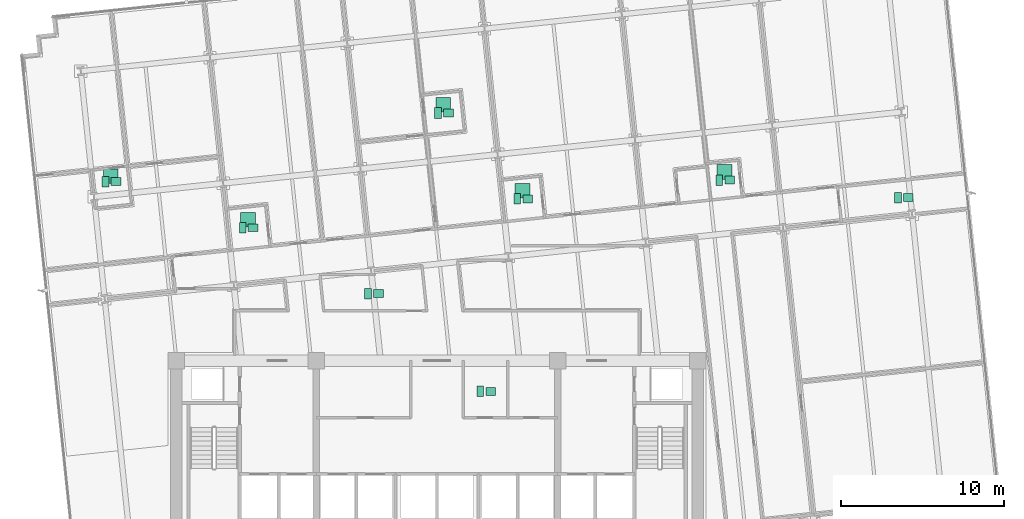
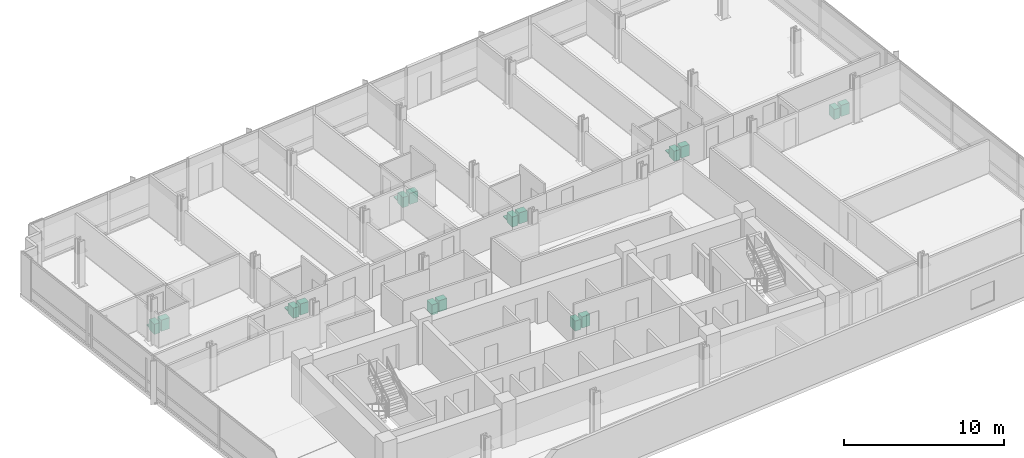
# One storey, part 20 of 20: 21 sanitary terminals.
"""IFC4 building model written with IfcOpenShell, lengths in metres."""

import ifcopenshell
import ifcopenshell.guid

model = None  # the IFC model being written
_history = None  # IfcOwnerHistory: only IFC2X3 demands one
_inside = {}  # id of a spatial element -> (the spatial element, [elements in it])
_under = {}  # id of a project, library or spatial element -> (it, [spatial elements below it])
_declared = {}  # id of a project -> (the project, [libraries it declares])
_typed = {}  # id of a type object -> (the type object, [elements of that type])
_made_of = {}  # id of a material, layer set ... -> (it, [elements and type objects made of it])


def new_model(schema):
    """Start an empty IFC model of exactly this schema.

    Asked for "IFC4X3", IfcOpenShell would pick the latest addendum, in which some entities
    have other attributes; the version numbers below select the first issue.
    IFC2X3 requires an IfcOwnerHistory on every rooted entity: one is made here for all.
    """
    global model, _history
    if schema == "IFC4X3":
        model = ifcopenshell.file(schema_version=(4, 3, 0, 0))
    else:
        model = ifcopenshell.file(schema=schema)
    _inside.clear()
    _under.clear()
    _declared.clear()
    _typed.clear()
    _made_of.clear()
    _history = None
    if model.schema == "IFC2X3":
        org = make("IfcOrganization", Name="unknown")
        user = make(
            "IfcPersonAndOrganization",
            ThePerson=make("IfcPerson", FamilyName="unknown"),
            TheOrganization=org,
        )
        app = make(
            "IfcApplication",
            ApplicationDeveloper=org,
            Version="unknown",
            ApplicationFullName="unknown",
            ApplicationIdentifier="unknown",
        )
        _history = make(
            "IfcOwnerHistory",
            OwningUser=user,
            OwningApplication=app,
            ChangeAction="ADDED",
            CreationDate=0,
        )
    return model


def make(cls, **values):
    """One entity of the class cls with the attributes given. An attribute that is None is left unset."""
    return model.create_entity(
        cls, **{name: value for name, value in values.items() if value is not None}
    )


def rooted(cls, **values):
    """An entity with a GlobalId (a new one), such as an element, a storey or a relation."""
    return make(cls, GlobalId=ifcopenshell.guid.new(), OwnerHistory=_history, **values)


def si_unit(unit_type, name, prefix=None):
    """IfcSIUnit, for example si_unit("LENGTHUNIT", "METRE", prefix="MILLI")."""
    return make("IfcSIUnit", UnitType=unit_type, Prefix=prefix, Name=name)


def assignment(units):
    """IfcUnitAssignment: the units of a project."""
    return None if units is None else make("IfcUnitAssignment", Units=units)


def point(xyz):
    """IfcCartesianPoint."""
    return None if xyz is None else make("IfcCartesianPoint", Coordinates=xyz)


def direction(xyz):
    """IfcDirection."""
    return None if xyz is None else make("IfcDirection", DirectionRatios=xyz)


def frame(location, z_axis=None, x_axis=None):
    """IfcAxis2Placement3D, a coordinate frame: its origin and axes. An axis left out is left unset."""
    return make(
        "IfcAxis2Placement3D",
        Location=point(location),
        Axis=direction(z_axis),
        RefDirection=direction(x_axis),
    )


def frame_2d(location, x_axis=None):
    """IfcAxis2Placement2D, a coordinate frame in the plane: its origin and x axis."""
    return make(
        "IfcAxis2Placement2D", Location=point(location), RefDirection=direction(x_axis)
    )


def origin():
    """The frame at (0, 0, 0) with its axes left unset."""
    return frame((0.0, 0.0, 0.0))


def origin_2d():
    """The frame at (0, 0) in the plane with its x axis left unset."""
    return frame_2d((0.0, 0.0))


def place(relative_to, where):
    """IfcLocalPlacement: puts the frame where relative to a parent placement (None: the world)."""
    return make(
        "IfcLocalPlacement", PlacementRelTo=relative_to, RelativePlacement=where
    )


def context(
    kind, dimensions, precision=None, world=None, true_north=None, identifier=None
):
    """IfcGeometricRepresentationContext, for example the 3D "Model" context."""
    return make(
        "IfcGeometricRepresentationContext",
        ContextIdentifier=identifier,
        ContextType=kind,
        CoordinateSpaceDimension=dimensions,
        Precision=precision,
        WorldCoordinateSystem=world,
        TrueNorth=true_north,
    )


def subcontext(parent, identifier, kind, view, scale=None):
    """IfcGeometricRepresentationSubContext, for example "Body" below "Model"."""
    return make(
        "IfcGeometricRepresentationSubContext",
        ContextIdentifier=identifier,
        ContextType=kind,
        ParentContext=parent,
        TargetScale=scale,
        TargetView=view,
    )


def project(units=None, contexts=None):
    """IfcProject with its units and contexts."""
    return rooted(
        "IfcProject",
        Name="project",
        RepresentationContexts=contexts,
        UnitsInContext=assignment(units),
    )


def spatial(cls, under=None, at=None, **own):
    """A site, building, storey or space (cls), placed at a placement, below another one or the project."""
    s = rooted(cls, ObjectPlacement=at, **own)
    if under is not None:
        _under.setdefault(under.id(), (under, []))[1].append(s)
    return s


def profile(cls, at=None, kind="AREA", **sizes):
    """A parametric profile (cls). Its sizes go by their IFC names, for example OverallWidth=200.0."""
    return make(cls, ProfileType=kind, Position=at, **sizes)


def rectangle(**sizes):
    """IfcRectangleProfileDef."""
    return profile("IfcRectangleProfileDef", **sizes)


def extrude(swept, where, along, depth):
    """IfcExtrudedAreaSolid: the profile swept, set in the frame where, extruded along a direction by depth."""
    return make(
        "IfcExtrudedAreaSolid",
        SweptArea=swept,
        Position=where,
        ExtrudedDirection=direction(along),
        Depth=depth,
    )


def shape(context_of_items, identifier, shape_type, items):
    """IfcShapeRepresentation: the items that make up one representation, for example the "Body"."""
    return make(
        "IfcShapeRepresentation",
        ContextOfItems=context_of_items,
        RepresentationIdentifier=identifier,
        RepresentationType=shape_type,
        Items=items,
    )


def material(Name=None, Category=None):
    """IfcMaterial."""
    return make("IfcMaterial", Name=Name, Category=Category)


def made_of(thing, what):
    """Note that an element or type object is made of a material, layer set ...; save() writes the relation."""
    if what is not None:
        _made_of.setdefault(what.id(), (what, []))[1].append(thing)
    return thing


def type_object(cls, material=None, **own):
    """A type object (cls), such as IfcWallType, which elements share."""
    return made_of(rooted(cls, **own), material)


def element(
    cls,
    number,
    at=None,
    inside=None,
    cuts=None,
    type_object=None,
    material=None,
    context=None,
    identifier="Body",
    shape_type=None,
    held_by="IfcProductDefinitionShape",
    body=None,
    shapes=None,
    **own,
):
    """One element of the class cls, such as IfcWall. Its Tag is "e" and its number.

    at: its placement. inside: the storey or other place that contains it. cuts: it is an
    opening in that element (IfcRelVoidsElement). A single representation is given by context,
    identifier, shape_type and body (its items); several are given by shapes. held_by: the class
    of the entity that holds the representations. save() writes the other relations.
    """
    e = rooted(cls, Tag="e%d" % number, ObjectPlacement=at, **own)
    if body is not None:
        shapes = [shape(context, identifier, shape_type, body)]
    if shapes is not None:
        e.Representation = make(held_by, Representations=shapes)
    if inside is not None:
        _inside.setdefault(inside.id(), (inside, []))[1].append(e)
    if cuts is not None:
        rooted(
            "IfcRelVoidsElement", RelatingBuildingElement=cuts, RelatedOpeningElement=e
        )
    if type_object is not None:
        _typed.setdefault(type_object.id(), (type_object, []))[1].append(e)
    return made_of(e, material)


def aggregate(whole, parts):
    """IfcRelAggregates: a whole, such as a stair, and the parts it consists of."""
    return rooted("IfcRelAggregates", RelatingObject=whole, RelatedObjects=parts)


def save(model, path):
    """Write the relations noted so far, then the file.

    IfcRelAggregates (storeys below a building ...), IfcRelContainedInSpatialStructure (elements
    in a storey), IfcRelDefinesByType, IfcRelAssociatesMaterial and IfcRelDeclares: one each for
    every whole, place, type object, material and project.
    """
    for whole, parts in _under.values():
        aggregate(whole, parts)
    for where, things in _inside.values():
        rooted(
            "IfcRelContainedInSpatialStructure",
            RelatedElements=things,
            RelatingStructure=where,
        )
    for kind, things in _typed.values():
        rooted("IfcRelDefinesByType", RelatedObjects=things, RelatingType=kind)
    for what, things in _made_of.values():
        rooted("IfcRelAssociatesMaterial", RelatedObjects=things, RelatingMaterial=what)
    for by, libraries in _declared.values():
        rooted("IfcRelDeclares", RelatingContext=by, RelatedDefinitions=libraries)
    model.write(path)


model = new_model("IFC4")

# Units and contexts
model_context = context("Model", 3, precision=1e-05, world=origin(), true_north=direction((0.0, 1.0)))
body_context = subcontext(model_context, "Body", "Model", "MODEL_VIEW")
ifc_project = project(units=[si_unit("LENGTHUNIT", "METRE"), si_unit("AREAUNIT", "SQUARE_METRE"), si_unit("VOLUMEUNIT", "CUBIC_METRE"), si_unit("PLANEANGLEUNIT", "RADIAN"), si_unit("MASSUNIT", "GRAM", prefix="KILO")], contexts=[model_context])

# Site, building, storey
site_placement = place(None, origin())
site = spatial("IfcSite", under=ifc_project, at=site_placement, CompositionType="ELEMENT")
building_placement = place(site_placement, origin())
building = spatial("IfcBuilding", under=site, at=building_placement, Name="Solmavex Isthmus Hotel", CompositionType="ELEMENT")
storey_placement = place(building_placement, frame((0.0, 0.0, 87.0)))
storey = spatial("IfcBuildingStorey", under=building, at=storey_placement, Name="L23", CompositionType="ELEMENT", Elevation=87.0)

# Sanitary terminals
ifc_material = material(Name="Vitreous china ceramic", Category="ceramic")
sanitary_terminal_type_1 = type_object("IfcSanitaryTerminalType", Name="SAN-BASIN", PredefinedType="WASHHANDBASIN", material=ifc_material)
for number, where, z_axis, x_axis, name in (
    (1, (3.294921875, -4.385009765625, 0.0), (0.0, 0.0, 1.0), (1.0, 0.0, 0.0), "Vanity Washbasin L23-105"),
    (2, (-19.694580078125, 8.486083984375, 0.0), (0.0, 0.0, 1.0), (1.0, 0.0, 0.0), "Vanity Washbasin L23-106"),
    (3, (-11.278564453125, 5.65283203125, 0.0), (0.0, 0.0, 1.0), (1.0, 0.0, 0.0), "Vanity Washbasin L23-107"),
    (4, (0.700439453125, 12.691650390625, 0.0), (0.0, 0.0, 1.0), (1.0, 0.0, 0.0), "Vanity Washbasin L23-108"),
    (5, (5.560791015625, 7.4228515625, 0.0), (0.0, 0.0, 1.0), (1.0, 0.0, 0.0), "Vanity Washbasin L23-109"),
    (6, (17.955810546875, 8.57470703125, 0.0), (0.0, 0.0, 1.0), (1.0, 0.0, 0.0), "Vanity Washbasin L23-110"),
    (7, (-3.58349609375, 1.6162109375, 0.0), (0.0, 0.0, 1.0), (1.0, 0.0, 0.0), "Vanity Washbasin L23-111"),
    (8, (28.9111328125, 7.50390625, 0.0), (0.0, 0.0, 1.0), (1.0, 0.0, 0.0), "Vanity Washbasin L23-112"),
):
    element("IfcSanitaryTerminal", number, at=place(storey_placement, frame(where, z_axis=z_axis, x_axis=x_axis)), inside=storey, type_object=sanitary_terminal_type_1, Name=name, PredefinedType="WASHHANDBASIN", context=body_context, shape_type="SweptSolid", body=[
        extrude(rectangle(XDim=0.60009765625, YDim=0.47998046875, at=origin_2d()), origin(), (0.0, 0.0, 1.0), 0.85009765625),
    ])
sanitary_terminal_type_2 = type_object("IfcSanitaryTerminalType", Name="SAN-SHOWER", PredefinedType="SHOWER", material=ifc_material)
for number, where, z_axis, x_axis, name in (
    (9, (-20.0146484375, 8.822265625, 0.0), (0.0, 0.0, 1.0), (1.0, 0.0, 0.0), "Walk-In Shower L23-106"),
    (10, (-11.598388671875, 6.15283203125, 0.0), (0.0, 0.0, 1.0), (1.0, 0.0, 0.0), "Walk-In Shower L23-107"),
    (11, (0.38037109375, 13.191650390625, 0.0), (0.0, 0.0, 1.0), (1.0, 0.0, 0.0), "Walk-In Shower L23-108"),
    (12, (5.24072265625, 7.9228515625, 0.0), (0.0, 0.0, 1.0), (1.0, 0.0, 0.0), "Walk-In Shower L23-109"),
    (13, (17.6357421875, 9.07470703125, 0.0), (0.0, 0.0, 1.0), (1.0, 0.0, 0.0), "Walk-In Shower L23-110"),
):
    element("IfcSanitaryTerminal", number, at=place(storey_placement, frame(where, z_axis=z_axis, x_axis=x_axis)), inside=storey, type_object=sanitary_terminal_type_2, Name=name, PredefinedType="SHOWER", context=body_context, shape_type="SweptSolid", body=[
        extrude(rectangle(XDim=0.89990234375, YDim=0.89990234375, at=origin_2d()), origin(), (0.0, 0.0, 1.0), 0.080078125),
    ])
sanitary_terminal_type_3 = type_object("IfcSanitaryTerminalType", Name="SAN-WC-SUITE", PredefinedType="TOILETPAN", material=ifc_material)
for number, where, z_axis, x_axis, name in (
    (14, (2.655029296875, -4.385009765625, 0.0), (0.0, 0.0, 1.0), (1.0, 0.0, 0.0), "Water Closet L23-105"),
    (15, (-20.334716796875, 8.486083984375, 0.0), (0.0, 0.0, 1.0), (1.0, 0.0, 0.0), "Water Closet L23-106"),
    (16, (-11.91845703125, 5.65283203125, 0.0), (0.0, 0.0, 1.0), (1.0, 0.0, 0.0), "Water Closet L23-107"),
    (17, (0.060302734375, 12.691650390625, 0.0), (0.0, 0.0, 1.0), (1.0, 0.0, 0.0), "Water Closet L23-108"),
    (18, (4.9208984375, 7.4228515625, 0.0), (0.0, 0.0, 1.0), (1.0, 0.0, 0.0), "Water Closet L23-109"),
    (19, (17.31591796875, 8.57470703125, 0.0), (0.0, 0.0, 1.0), (1.0, 0.0, 0.0), "Water Closet L23-110"),
    (20, (-4.223388671875, 1.6162109375, 0.0), (0.0, 0.0, 1.0), (1.0, 0.0, 0.0), "Water Closet L23-111"),
    (21, (28.271240234375, 7.50390625, 0.0), (0.0, 0.0, 1.0), (1.0, 0.0, 0.0), "Water Closet L23-112"),
):
    element("IfcSanitaryTerminal", number, at=place(storey_placement, frame(where, z_axis=z_axis, x_axis=x_axis)), inside=storey, type_object=sanitary_terminal_type_3, Name=name, PredefinedType="TOILETPAN", context=body_context, shape_type="SweptSolid", body=[
        extrude(rectangle(XDim=0.419921875, YDim=0.64990234375, at=origin_2d()), origin(), (0.0, 0.0, 1.0), 0.780029296875),
    ])

save(model, "model.ifc")
